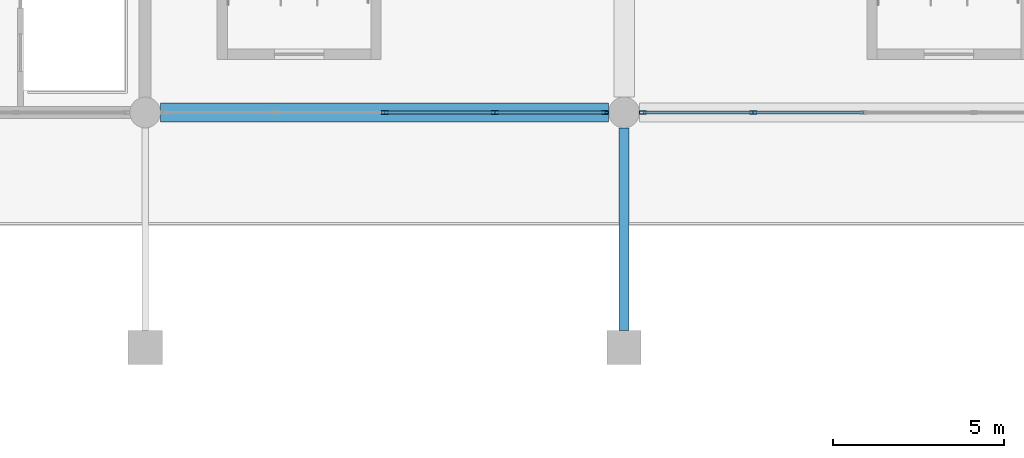
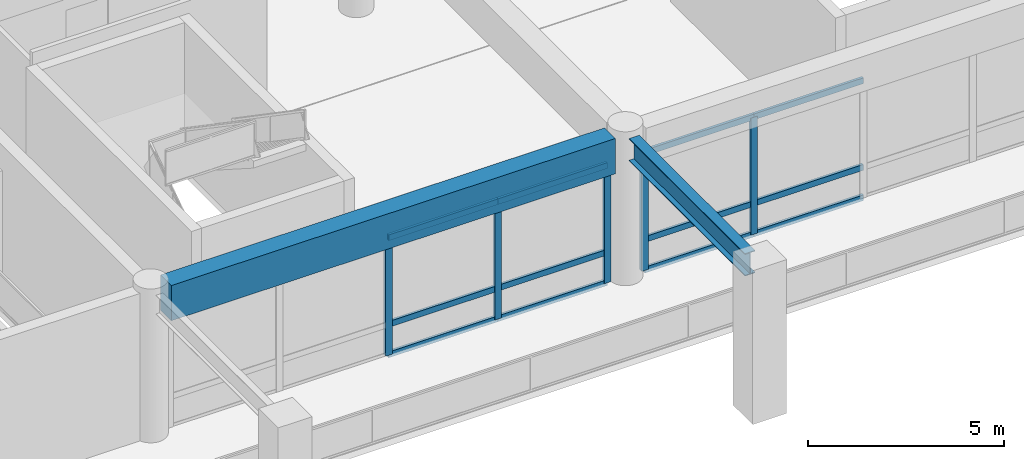
# One storey, part 44 of 91: 17 members, 2 beams, 2 elements without a shape of their own.
"""IFC4 building model written with IfcOpenShell, lengths in metres."""

from ifc_helpers import new_model, si_unit, direction, frame, origin, origin_2d, place, context, subcontext, project, spatial, rectangle, hollow_rectangle, i_section, extrude, material, material_profile, profile_set, type_object, element, aggregate, save


model = new_model("IFC4")

# Units and contexts
model_context = context("Model", 3, precision=1e-05, world=origin(), true_north=direction((0.0, 1.0)))
body_context = subcontext(model_context, "Body", "Model", "MODEL_VIEW")
ifc_project = project(units=[si_unit("LENGTHUNIT", "METRE"), si_unit("AREAUNIT", "SQUARE_METRE"), si_unit("VOLUMEUNIT", "CUBIC_METRE"), si_unit("PLANEANGLEUNIT", "RADIAN"), si_unit("MASSUNIT", "GRAM", prefix="KILO")], contexts=[model_context])

# Site, building, storey
site_placement = place(None, origin())
site = spatial("IfcSite", under=ifc_project, at=site_placement, CompositionType="ELEMENT")
building_placement = place(site_placement, origin())
building = spatial("IfcBuilding", under=site, at=building_placement, Name="Linyun Crest Stadium", CompositionType="ELEMENT")
storey_placement = place(building_placement, frame((0.0, 0.0, 11.39990234375)))
storey = spatial("IfcBuildingStorey", under=building, at=storey_placement, Name="L03", CompositionType="ELEMENT", Elevation=11.39990234375)

# Beam
ifc_material_1 = material(Name="Steel Q355C", Category="steel")
ifc_material_profile_1 = material_profile(ifc_material_1, i_section(OverallWidth=0.300048828125, OverallDepth=0.699951171875, WebThickness=0.012939453125, FlangeThickness=0.02392578125, at=origin_2d()), Name="HN 700x300")
ifc_profile_set_1 = profile_set([ifc_material_profile_1], Name="Steel Q355C")
beam_type_1 = type_object("IfcBeamType", Name="B12", PredefinedType="BEAM", material=ifc_profile_set_1)
beam_1_placement = place(storey_placement, frame((0.0, 85.125, 4.25), z_axis=(0.0, 1.0, 0.0), x_axis=(-1.0, 0.0, 0.0)))
element("IfcBeam", 1, at=beam_1_placement, inside=storey, type_object=beam_type_1, Name="Frame beam B12 L03 806", PredefinedType="BEAM", context=body_context, shape_type="SweptSolid", body=[
    extrude(i_section(OverallWidth=0.300048828125, OverallDepth=0.699951171875, WebThickness=0.012939453125, FlangeThickness=0.02392578125, at=origin_2d()), origin(), (0.0, 0.0, 1.0), 5.925048828125),
])

# Curtain wall, members
ifc_material_2 = material(Name="Verdigris steel and low-E curtain wall assembly", Category="steel")
curtain_wall_type = type_object("IfcCurtainWallType", Name="MCW02", PredefinedType="NOTDEFINED", material=ifc_material_2)
curtain_wall_1_placement = place(storey_placement, origin())
curtain_wall_1 = element("IfcCurtainWall", 2, at=curtain_wall_1_placement, inside=storey, type_object=curtain_wall_type, Name="CWR-135", PredefinedType="NOTDEFINED")
ifc_material_3 = material(Name="Verdigris painted steel Q355C mullion", Category="steel")
ifc_material_profile_2 = material_profile(ifc_material_3, hollow_rectangle(XDim=0.10009765625, YDim=0.199951171875, WallThickness=0.008056640625, at=origin_2d()), Name="RHS 200x100x8")
ifc_profile_set_2 = profile_set([ifc_material_profile_2], Name="Verdigris painted steel Q355C mullion")
member_type_1 = type_object("IfcMemberType", Name="ML03", PredefinedType="MULLION", material=ifc_profile_set_2)
member_1_placement = place(storey_placement, frame((-7.0, 91.5, 0.0), z_axis=(0.0, 0.0, 1.0), x_axis=(0.0, 1.0, 0.0)))
member_1 = element("IfcMember", 3, at=member_1_placement, type_object=member_type_1, Name="CWR-135 mullion 3", PredefinedType="MULLION", context=body_context, shape_type="SweptSolid", body=[
    extrude(hollow_rectangle(XDim=0.10009765625, YDim=0.199951171875, WallThickness=0.008056640625, at=origin_2d()), origin(), (0.0, 0.0, 1.0), 3.650146484375),
])
member_2_placement = place(storey_placement, frame((-3.77490234375, 91.5, 0.0), z_axis=(0.0, 0.0, 1.0), x_axis=(0.0, 1.0, 0.0)))
member_2 = element("IfcMember", 4, at=member_2_placement, type_object=member_type_1, Name="CWR-135 mullion 4", PredefinedType="MULLION", context=body_context, shape_type="SweptSolid", body=[
    extrude(hollow_rectangle(XDim=0.10009765625, YDim=0.199951171875, WallThickness=0.008056640625, at=origin_2d()), origin(), (0.0, 0.0, 1.0), 3.650146484375),
])
member_3_placement = place(storey_placement, frame((-0.550048828125, 91.5, 0.0), z_axis=(0.0, 0.0, 1.0), x_axis=(0.0, 1.0, 0.0)))
member_3 = element("IfcMember", 5, at=member_3_placement, type_object=member_type_1, Name="CWR-135 mullion 5", PredefinedType="MULLION", context=body_context, shape_type="SweptSolid", body=[
    extrude(hollow_rectangle(XDim=0.10009765625, YDim=0.199951171875, WallThickness=0.008056640625, at=origin_2d()), origin(), (0.0, 0.0, 1.0), 3.650146484375),
])

curtain_wall_2_placement = place(storey_placement, origin())
curtain_wall_2 = element("IfcCurtainWall", 6, at=curtain_wall_2_placement, inside=storey, type_object=curtain_wall_type, Name="CWR-142", PredefinedType="NOTDEFINED")
member_4_placement = place(storey_placement, frame((0.550048828125, 91.5, 0.0), z_axis=(0.0, 0.0, 1.0), x_axis=(0.0, 1.0, 0.0)))
member_4 = element("IfcMember", 7, at=member_4_placement, type_object=member_type_1, Name="CWR-142 mullion 1", PredefinedType="MULLION", context=body_context, shape_type="SweptSolid", body=[
    extrude(hollow_rectangle(XDim=0.10009765625, YDim=0.199951171875, WallThickness=0.008056640625, at=origin_2d()), origin(), (0.0, 0.0, 1.0), 3.650146484375),
])
member_5_placement = place(storey_placement, frame((3.77490234375, 91.5, 0.0), z_axis=(0.0, 0.0, 1.0), x_axis=(0.0, 1.0, 0.0)))
member_5 = element("IfcMember", 8, at=member_5_placement, type_object=member_type_1, Name="CWR-142 mullion 2", PredefinedType="MULLION", context=body_context, shape_type="SweptSolid", body=[
    extrude(hollow_rectangle(XDim=0.10009765625, YDim=0.199951171875, WallThickness=0.008056640625, at=origin_2d()), origin(), (0.0, 0.0, 1.0), 3.650146484375),
])

# Beam
ifc_material_4 = material(Name="Concrete C50", Category="concrete")
ifc_material_profile_3 = material_profile(ifc_material_4, rectangle(XDim=0.550048828125, YDim=1.10009765625, at=origin_2d()), Name="RCB 1100x550")
ifc_profile_set_3 = profile_set([ifc_material_profile_3], Name="Concrete C50")
beam_type_2 = type_object("IfcBeamType", Name="TB01", PredefinedType="USERDEFINED", material=ifc_profile_set_3)
beam_2_placement = place(storey_placement, frame((-13.550048828125, 91.5, 4.050048828125), z_axis=(1.0, 0.0, 0.0), x_axis=(0.0, 1.0, 0.0)))
element("IfcBeam", 9, at=beam_2_placement, inside=storey, type_object=beam_type_2, Name="Frame beam TB01 L03 800", ObjectType="GIRDER", PredefinedType="USERDEFINED", context=body_context, shape_type="SweptSolid", body=[
    extrude(rectangle(XDim=0.550048828125, YDim=1.10009765625, at=origin_2d()), origin(), (0.0, 0.0, 1.0), 13.10009765625),
])

# Member
ifc_material_5 = material(Name="Verdigris painted steel Q355B transom", Category="steel")
ifc_material_profile_4 = material_profile(ifc_material_5, hollow_rectangle(XDim=0.080078125, YDim=0.179931640625, WallThickness=0.006103515625, at=origin_2d()), Name="RHS 180x80x6")
ifc_profile_set_4 = profile_set([ifc_material_profile_4], Name="Verdigris painted steel Q355B transom")
member_type_2 = type_object("IfcMemberType", Name="TR02", PredefinedType="USERDEFINED", material=ifc_profile_set_4)
member_6_placement = place(storey_placement, frame((-7.0, 91.5, 0.0), z_axis=(1.0, 0.0, 0.0), x_axis=(0.0, 1.0, 0.0)))
member_6 = element("IfcMember", 10, at=member_6_placement, type_object=member_type_2, Name="CWR-135 transom 3.1", ObjectType="TRANSOM", PredefinedType="USERDEFINED", context=body_context, shape_type="SweptSolid", body=[
    extrude(hollow_rectangle(XDim=0.080078125, YDim=0.179931640625, WallThickness=0.006103515625, at=origin_2d()), origin(), (0.0, 0.0, 1.0), 3.22509765625),
])

member_7_placement = place(storey_placement, frame((-7.0, 91.5, 0.9501953125), z_axis=(1.0, 0.0, 0.0), x_axis=(0.0, 1.0, 0.0)))
member_7 = element("IfcMember", 11, at=member_7_placement, type_object=member_type_2, Name="CWR-135 transom 3.2", ObjectType="TRANSOM", PredefinedType="USERDEFINED", context=body_context, shape_type="SweptSolid", body=[
    extrude(hollow_rectangle(XDim=0.080078125, YDim=0.179931640625, WallThickness=0.006103515625, at=origin_2d()), origin(), (0.0, 0.0, 1.0), 3.22509765625),
])

member_8_placement = place(storey_placement, frame((-7.0, 91.5, 3.650146484375), z_axis=(1.0, 0.0, 0.0), x_axis=(0.0, 1.0, 0.0)))
member_8 = element("IfcMember", 12, at=member_8_placement, type_object=member_type_2, Name="CWR-135 transom 3.3", ObjectType="TRANSOM", PredefinedType="USERDEFINED", context=body_context, shape_type="SweptSolid", body=[
    extrude(hollow_rectangle(XDim=0.080078125, YDim=0.179931640625, WallThickness=0.006103515625, at=origin_2d()), origin(), (0.0, 0.0, 1.0), 3.22509765625),
])

member_9_placement = place(storey_placement, frame((-3.77490234375, 91.5, 0.0), z_axis=(1.0, 0.0, 0.0), x_axis=(0.0, 1.0, 0.0)))
member_9 = element("IfcMember", 13, at=member_9_placement, type_object=member_type_2, Name="CWR-135 transom 4.1", ObjectType="TRANSOM", PredefinedType="USERDEFINED", context=body_context, shape_type="SweptSolid", body=[
    extrude(hollow_rectangle(XDim=0.080078125, YDim=0.179931640625, WallThickness=0.006103515625, at=origin_2d()), origin(), (0.0, 0.0, 1.0), 3.224853515625),
])

member_10_placement = place(storey_placement, frame((-3.77490234375, 91.5, 0.9501953125), z_axis=(1.0, 0.0, 0.0), x_axis=(0.0, 1.0, 0.0)))
member_10 = element("IfcMember", 14, at=member_10_placement, type_object=member_type_2, Name="CWR-135 transom 4.2", ObjectType="TRANSOM", PredefinedType="USERDEFINED", context=body_context, shape_type="SweptSolid", body=[
    extrude(hollow_rectangle(XDim=0.080078125, YDim=0.179931640625, WallThickness=0.006103515625, at=origin_2d()), origin(), (0.0, 0.0, 1.0), 3.224853515625),
])

member_11_placement = place(storey_placement, frame((-3.77490234375, 91.5, 3.650146484375), z_axis=(1.0, 0.0, 0.0), x_axis=(0.0, 1.0, 0.0)))
member_11 = element("IfcMember", 15, at=member_11_placement, type_object=member_type_2, Name="CWR-135 transom 4.3", ObjectType="TRANSOM", PredefinedType="USERDEFINED", context=body_context, shape_type="SweptSolid", body=[
    extrude(hollow_rectangle(XDim=0.080078125, YDim=0.179931640625, WallThickness=0.006103515625, at=origin_2d()), origin(), (0.0, 0.0, 1.0), 3.224853515625),
])

aggregate(curtain_wall_1, [member_1, member_2, member_3, member_6, member_7, member_8, member_9, member_10, member_11])

member_12_placement = place(storey_placement, frame((0.550048828125, 91.5, 0.0), z_axis=(1.0, 0.0, 0.0), x_axis=(0.0, 1.0, 0.0)))
member_12 = element("IfcMember", 16, at=member_12_placement, type_object=member_type_2, Name="CWR-142 transom 1.1", ObjectType="TRANSOM", PredefinedType="USERDEFINED", context=body_context, shape_type="SweptSolid", body=[
    extrude(hollow_rectangle(XDim=0.080078125, YDim=0.179931640625, WallThickness=0.006103515625, at=origin_2d()), origin(), (0.0, 0.0, 1.0), 3.224853515625),
])

member_13_placement = place(storey_placement, frame((0.550048828125, 91.5, 0.9501953125), z_axis=(1.0, 0.0, 0.0), x_axis=(0.0, 1.0, 0.0)))
member_13 = element("IfcMember", 17, at=member_13_placement, type_object=member_type_2, Name="CWR-142 transom 1.2", ObjectType="TRANSOM", PredefinedType="USERDEFINED", context=body_context, shape_type="SweptSolid", body=[
    extrude(hollow_rectangle(XDim=0.080078125, YDim=0.179931640625, WallThickness=0.006103515625, at=origin_2d()), origin(), (0.0, 0.0, 1.0), 3.224853515625),
])

member_14_placement = place(storey_placement, frame((0.550048828125, 91.5, 3.650146484375), z_axis=(1.0, 0.0, 0.0), x_axis=(0.0, 1.0, 0.0)))
member_14 = element("IfcMember", 18, at=member_14_placement, type_object=member_type_2, Name="CWR-142 transom 1.3", ObjectType="TRANSOM", PredefinedType="USERDEFINED", context=body_context, shape_type="SweptSolid", body=[
    extrude(hollow_rectangle(XDim=0.080078125, YDim=0.179931640625, WallThickness=0.006103515625, at=origin_2d()), origin(), (0.0, 0.0, 1.0), 3.224853515625),
])

member_15_placement = place(storey_placement, frame((3.77490234375, 91.5, 0.0), z_axis=(1.0, 0.0, 0.0), x_axis=(0.0, 1.0, 0.0)))
member_15 = element("IfcMember", 19, at=member_15_placement, type_object=member_type_2, Name="CWR-142 transom 2.1", ObjectType="TRANSOM", PredefinedType="USERDEFINED", context=body_context, shape_type="SweptSolid", body=[
    extrude(hollow_rectangle(XDim=0.080078125, YDim=0.179931640625, WallThickness=0.006103515625, at=origin_2d()), origin(), (0.0, 0.0, 1.0), 3.22509765625),
])

member_16_placement = place(storey_placement, frame((3.77490234375, 91.5, 0.9501953125), z_axis=(1.0, 0.0, 0.0), x_axis=(0.0, 1.0, 0.0)))
member_16 = element("IfcMember", 20, at=member_16_placement, type_object=member_type_2, Name="CWR-142 transom 2.2", ObjectType="TRANSOM", PredefinedType="USERDEFINED", context=body_context, shape_type="SweptSolid", body=[
    extrude(hollow_rectangle(XDim=0.080078125, YDim=0.179931640625, WallThickness=0.006103515625, at=origin_2d()), origin(), (0.0, 0.0, 1.0), 3.22509765625),
])

member_17_placement = place(storey_placement, frame((3.77490234375, 91.5, 3.650146484375), z_axis=(1.0, 0.0, 0.0), x_axis=(0.0, 1.0, 0.0)))
member_17 = element("IfcMember", 21, at=member_17_placement, type_object=member_type_2, Name="CWR-142 transom 2.3", ObjectType="TRANSOM", PredefinedType="USERDEFINED", context=body_context, shape_type="SweptSolid", body=[
    extrude(hollow_rectangle(XDim=0.080078125, YDim=0.179931640625, WallThickness=0.006103515625, at=origin_2d()), origin(), (0.0, 0.0, 1.0), 3.22509765625),
])

aggregate(curtain_wall_2, [member_4, member_5, member_12, member_13, member_14, member_15, member_16, member_17])

save(model, "model.ifc")
